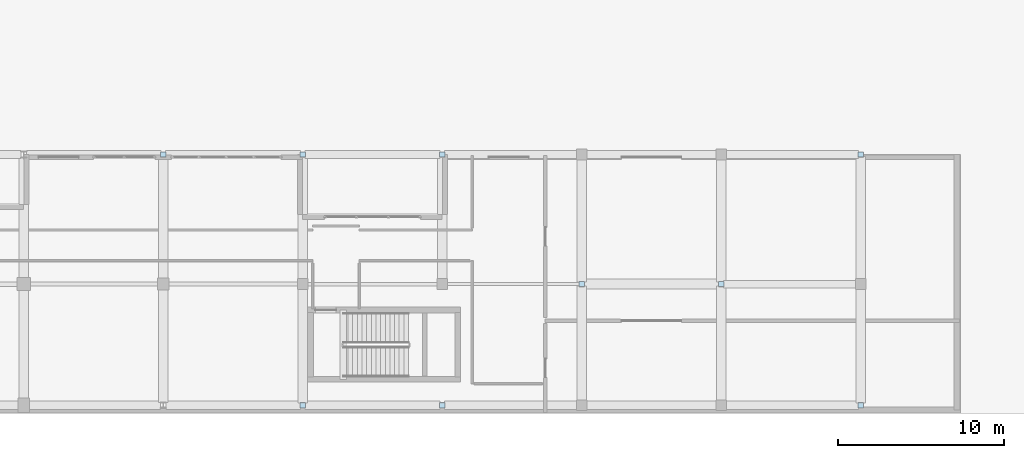
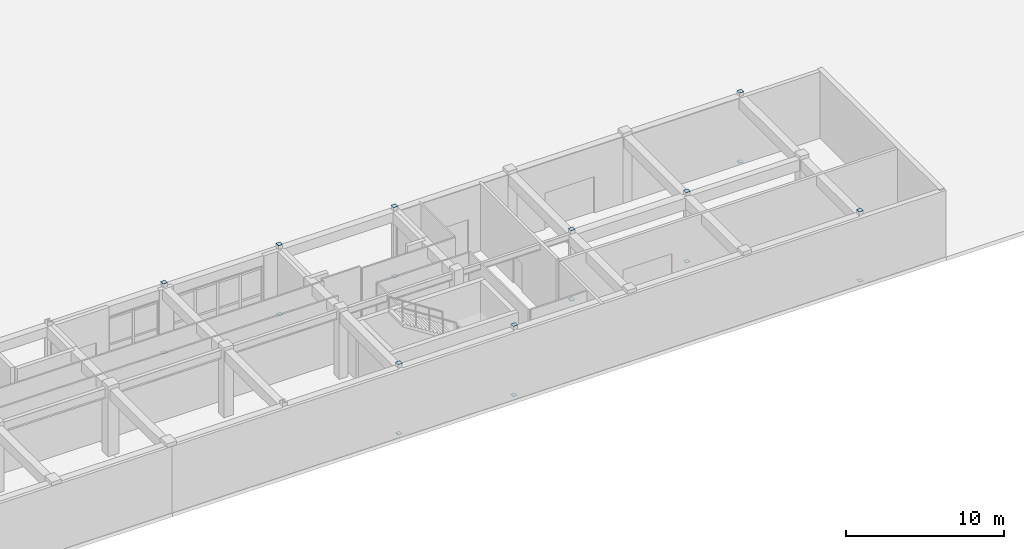
# One storey, part 124 of 148: 18 plates.
"""IFC4 building model written with IfcOpenShell, lengths in metres."""

from ifc_helpers import new_model, si_unit, direction, frame, origin, origin_2d, place, context, subcontext, project, spatial, rectangle, extrude, material, layer, layer_set, type_object, element, save


model = new_model("IFC4")

# Units and contexts
model_context = context("Model", 3, precision=1e-05, world=origin(), true_north=direction((0.0, 1.0)))
body_context = subcontext(model_context, "Body", "Model", "MODEL_VIEW")
ifc_project = project(units=[si_unit("LENGTHUNIT", "METRE"), si_unit("AREAUNIT", "SQUARE_METRE"), si_unit("VOLUMEUNIT", "CUBIC_METRE"), si_unit("PLANEANGLEUNIT", "RADIAN"), si_unit("MASSUNIT", "GRAM", prefix="KILO")], contexts=[model_context])

# Site, building, storey
site_placement = place(None, origin())
site = spatial("IfcSite", under=ifc_project, at=site_placement, CompositionType="ELEMENT")
building_placement = place(site_placement, origin())
building = spatial("IfcBuilding", under=site, at=building_placement, Name="Quendrovan Civic Courthouse", CompositionType="ELEMENT")
storey_placement = place(building_placement, origin())
storey = spatial("IfcBuildingStorey", under=building, at=storey_placement, Name="L01", CompositionType="ELEMENT", Elevation=0.0)

# Plates
ifc_material = material(Name="Steel ASTM A572 Grade 50", Category="steel")
ifc_layer = layer(ifc_material, 0.011962890625, Name="Steel ASTM A572 Grade 50")
ifc_layer_set = layer_set([ifc_layer], Name="Steel ASTM A572 Grade 50")
plate_type = type_object("IfcPlateType", Name="PLT-CAP-12", PredefinedType="SHEET", material=ifc_layer_set)
for number, where, z_axis, x_axis, name in (
    (1, (67.199951171875, 15.60009765625, 5.39990234375), (0.0, 0.0, 1.0), (1.0, 0.0, 0.0), "L01 Hollow Column End Cap Plate COL-L01-9-C-TOP"),
    (2, (67.199951171875, 15.60009765625, -0.01220703125), (0.0, 0.0, 1.0), (1.0, 0.0, 0.0), "L01 Hollow Column End Cap Plate COL-L01-9-C-BOT"),
    (3, (75.60009765625, 0.5, 5.39990234375), (0.0, 0.0, 1.0), (1.0, 0.0, 0.0), "L01 Hollow Column End Cap Plate COL-L01-10-A-TOP"),
    (4, (75.60009765625, 0.5, -0.01220703125), (0.0, 0.0, 1.0), (1.0, 0.0, 0.0), "L01 Hollow Column End Cap Plate COL-L01-10-A-BOT"),
    (5, (75.60009765625, 15.60009765625, 5.39990234375), (0.0, 0.0, 1.0), (1.0, 0.0, 0.0), "L01 Hollow Column End Cap Plate COL-L01-10-C-TOP"),
    (6, (75.60009765625, 15.60009765625, -0.01220703125), (0.0, 0.0, 1.0), (1.0, 0.0, 0.0), "L01 Hollow Column End Cap Plate COL-L01-10-C-BOT"),
    (7, (84.0, 0.5, 5.39990234375), (0.0, 0.0, 1.0), (1.0, 0.0, 0.0), "L01 Hollow Column End Cap Plate COL-L01-11-A-TOP"),
    (8, (84.0, 0.5, -0.01220703125), (0.0, 0.0, 1.0), (1.0, 0.0, 0.0), "L01 Hollow Column End Cap Plate COL-L01-11-A-BOT"),
    (9, (84.0, 15.60009765625, 5.39990234375), (0.0, 0.0, 1.0), (1.0, 0.0, 0.0), "L01 Hollow Column End Cap Plate COL-L01-11-C-TOP"),
    (10, (84.0, 15.60009765625, -0.01220703125), (0.0, 0.0, 1.0), (1.0, 0.0, 0.0), "L01 Hollow Column End Cap Plate COL-L01-11-C-BOT"),
    (11, (92.39990234375, 7.800048828125, 5.39990234375), (0.0, 0.0, 1.0), (1.0, 0.0, 0.0), "L01 Hollow Column End Cap Plate COL-L01-12-B-TOP"),
    (12, (92.39990234375, 7.800048828125, -0.01220703125), (0.0, 0.0, 1.0), (1.0, 0.0, 0.0), "L01 Hollow Column End Cap Plate COL-L01-12-B-BOT"),
    (13, (100.800048828125, 7.800048828125, 5.39990234375), (0.0, 0.0, 1.0), (1.0, 0.0, 0.0), "L01 Hollow Column End Cap Plate COL-L01-13-B-TOP"),
    (14, (100.800048828125, 7.800048828125, -0.01220703125), (0.0, 0.0, 1.0), (1.0, 0.0, 0.0), "L01 Hollow Column End Cap Plate COL-L01-13-B-BOT"),
    (15, (109.199951171875, 0.5, 5.39990234375), (0.0, 0.0, 1.0), (1.0, 0.0, 0.0), "L01 Hollow Column End Cap Plate COL-L01-14-A-TOP"),
    (16, (109.199951171875, 0.5, -0.01220703125), (0.0, 0.0, 1.0), (1.0, 0.0, 0.0), "L01 Hollow Column End Cap Plate COL-L01-14-A-BOT"),
    (17, (109.199951171875, 15.60009765625, 5.39990234375), (0.0, 0.0, 1.0), (1.0, 0.0, 0.0), "L01 Hollow Column End Cap Plate COL-L01-14-C-TOP"),
    (18, (109.199951171875, 15.60009765625, -0.01220703125), (0.0, 0.0, 1.0), (1.0, 0.0, 0.0), "L01 Hollow Column End Cap Plate COL-L01-14-C-BOT"),
):
    element("IfcPlate", number, at=place(storey_placement, frame(where, z_axis=z_axis, x_axis=x_axis)), inside=storey, type_object=plate_type, Name=name, PredefinedType="SHEET", context=body_context, shape_type="SweptSolid", body=[
        extrude(rectangle(XDim=0.320068359375, YDim=0.320068359375, at=origin_2d()), origin(), (0.0, 0.0, 1.0), 0.011962890625),
    ])

save(model, "model.ifc")
